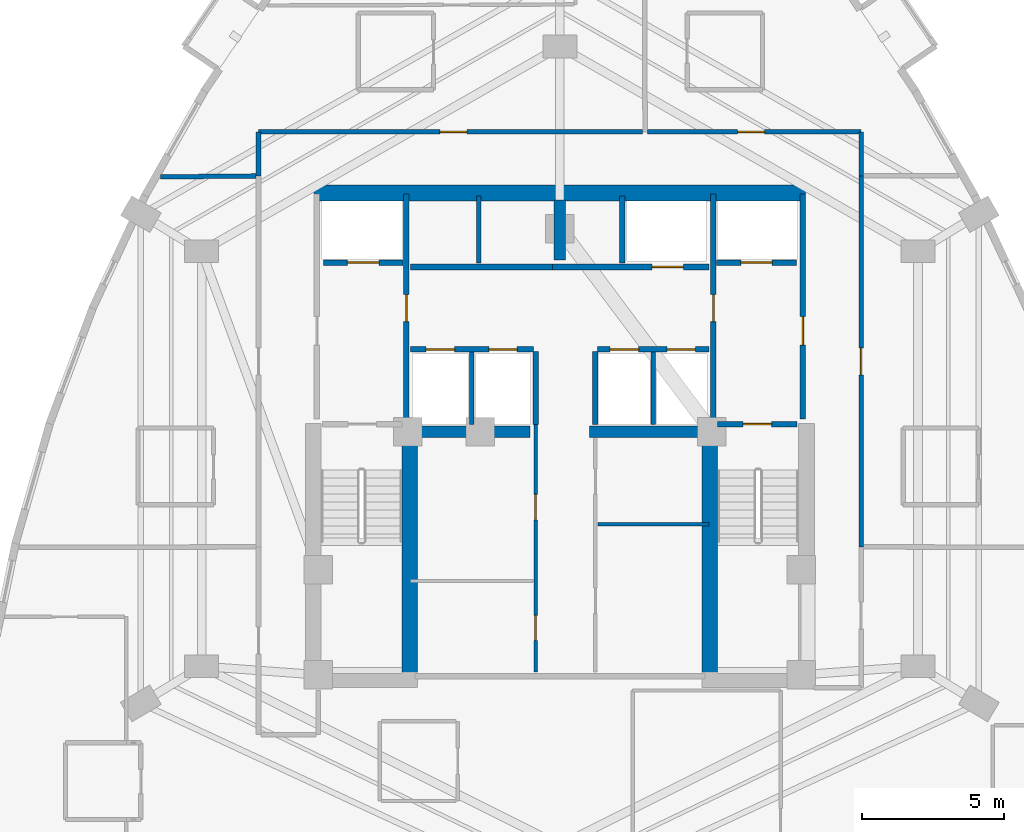
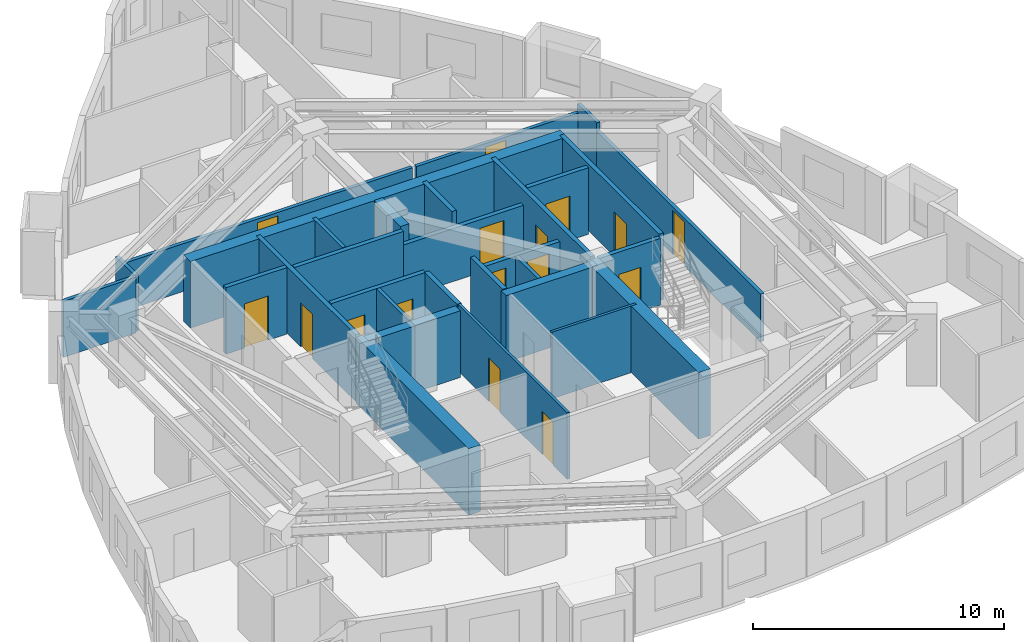
# One storey, part 7 of 11: 30 walls, 16 doors, 16 openings.
"""IFC4 building model written with IfcOpenShell, lengths in metres."""

import ifcopenshell
import ifcopenshell.guid

model = None  # the IFC model being written
_history = None  # IfcOwnerHistory: only IFC2X3 demands one
_inside = {}  # id of a spatial element -> (the spatial element, [elements in it])
_under = {}  # id of a project, library or spatial element -> (it, [spatial elements below it])
_declared = {}  # id of a project -> (the project, [libraries it declares])
_typed = {}  # id of a type object -> (the type object, [elements of that type])
_made_of = {}  # id of a material, layer set ... -> (it, [elements and type objects made of it])


def new_model(schema):
    """Start an empty IFC model of exactly this schema.

    Asked for "IFC4X3", IfcOpenShell would pick the latest addendum, in which some entities
    have other attributes; the version numbers below select the first issue.
    IFC2X3 requires an IfcOwnerHistory on every rooted entity: one is made here for all.
    """
    global model, _history
    if schema == "IFC4X3":
        model = ifcopenshell.file(schema_version=(4, 3, 0, 0))
    else:
        model = ifcopenshell.file(schema=schema)
    _inside.clear()
    _under.clear()
    _declared.clear()
    _typed.clear()
    _made_of.clear()
    _history = None
    if model.schema == "IFC2X3":
        org = make("IfcOrganization", Name="unknown")
        user = make(
            "IfcPersonAndOrganization",
            ThePerson=make("IfcPerson", FamilyName="unknown"),
            TheOrganization=org,
        )
        app = make(
            "IfcApplication",
            ApplicationDeveloper=org,
            Version="unknown",
            ApplicationFullName="unknown",
            ApplicationIdentifier="unknown",
        )
        _history = make(
            "IfcOwnerHistory",
            OwningUser=user,
            OwningApplication=app,
            ChangeAction="ADDED",
            CreationDate=0,
        )
    return model


def make(cls, **values):
    """One entity of the class cls with the attributes given. An attribute that is None is left unset."""
    return model.create_entity(
        cls, **{name: value for name, value in values.items() if value is not None}
    )


def rooted(cls, **values):
    """An entity with a GlobalId (a new one), such as an element, a storey or a relation."""
    return make(cls, GlobalId=ifcopenshell.guid.new(), OwnerHistory=_history, **values)


def si_unit(unit_type, name, prefix=None):
    """IfcSIUnit, for example si_unit("LENGTHUNIT", "METRE", prefix="MILLI")."""
    return make("IfcSIUnit", UnitType=unit_type, Prefix=prefix, Name=name)


def assignment(units):
    """IfcUnitAssignment: the units of a project."""
    return None if units is None else make("IfcUnitAssignment", Units=units)


def point(xyz):
    """IfcCartesianPoint."""
    return None if xyz is None else make("IfcCartesianPoint", Coordinates=xyz)


def direction(xyz):
    """IfcDirection."""
    return None if xyz is None else make("IfcDirection", DirectionRatios=xyz)


def frame(location, z_axis=None, x_axis=None):
    """IfcAxis2Placement3D, a coordinate frame: its origin and axes. An axis left out is left unset."""
    return make(
        "IfcAxis2Placement3D",
        Location=point(location),
        Axis=direction(z_axis),
        RefDirection=direction(x_axis),
    )


def frame_2d(location, x_axis=None):
    """IfcAxis2Placement2D, a coordinate frame in the plane: its origin and x axis."""
    return make(
        "IfcAxis2Placement2D", Location=point(location), RefDirection=direction(x_axis)
    )


def origin():
    """The frame at (0, 0, 0) with its axes left unset."""
    return frame((0.0, 0.0, 0.0))


def place(relative_to, where):
    """IfcLocalPlacement: puts the frame where relative to a parent placement (None: the world)."""
    return make(
        "IfcLocalPlacement", PlacementRelTo=relative_to, RelativePlacement=where
    )


def context(
    kind, dimensions, precision=None, world=None, true_north=None, identifier=None
):
    """IfcGeometricRepresentationContext, for example the 3D "Model" context."""
    return make(
        "IfcGeometricRepresentationContext",
        ContextIdentifier=identifier,
        ContextType=kind,
        CoordinateSpaceDimension=dimensions,
        Precision=precision,
        WorldCoordinateSystem=world,
        TrueNorth=true_north,
    )


def subcontext(parent, identifier, kind, view, scale=None):
    """IfcGeometricRepresentationSubContext, for example "Body" below "Model"."""
    return make(
        "IfcGeometricRepresentationSubContext",
        ContextIdentifier=identifier,
        ContextType=kind,
        ParentContext=parent,
        TargetScale=scale,
        TargetView=view,
    )


def project(units=None, contexts=None):
    """IfcProject with its units and contexts."""
    return rooted(
        "IfcProject",
        Name="project",
        RepresentationContexts=contexts,
        UnitsInContext=assignment(units),
    )


def spatial(cls, under=None, at=None, **own):
    """A site, building, storey or space (cls), placed at a placement, below another one or the project."""
    s = rooted(cls, ObjectPlacement=at, **own)
    if under is not None:
        _under.setdefault(under.id(), (under, []))[1].append(s)
    return s


def profile(cls, at=None, kind="AREA", **sizes):
    """A parametric profile (cls). Its sizes go by their IFC names, for example OverallWidth=200.0."""
    return make(cls, ProfileType=kind, Position=at, **sizes)


def rectangle(**sizes):
    """IfcRectangleProfileDef."""
    return profile("IfcRectangleProfileDef", **sizes)


def extrude(swept, where, along, depth):
    """IfcExtrudedAreaSolid: the profile swept, set in the frame where, extruded along a direction by depth."""
    return make(
        "IfcExtrudedAreaSolid",
        SweptArea=swept,
        Position=where,
        ExtrudedDirection=direction(along),
        Depth=depth,
    )


def shape(context_of_items, identifier, shape_type, items):
    """IfcShapeRepresentation: the items that make up one representation, for example the "Body"."""
    return make(
        "IfcShapeRepresentation",
        ContextOfItems=context_of_items,
        RepresentationIdentifier=identifier,
        RepresentationType=shape_type,
        Items=items,
    )


def material(Name=None, Category=None):
    """IfcMaterial."""
    return make("IfcMaterial", Name=Name, Category=Category)


def layer(
    of_material, thickness, ventilated=None, Name=None, Category=None, Priority=None
):
    """IfcMaterialLayer: one layer of a wall or slab, of a material (None: an air gap)."""
    return make(
        "IfcMaterialLayer",
        Material=of_material,
        LayerThickness=thickness,
        IsVentilated=ventilated,
        Name=Name,
        Category=Category,
        Priority=Priority,
    )


def layer_set(layers, Name=None):
    """IfcMaterialLayerSet."""
    return make("IfcMaterialLayerSet", MaterialLayers=layers, LayerSetName=Name)


def made_of(thing, what):
    """Note that an element or type object is made of a material, layer set ...; save() writes the relation."""
    if what is not None:
        _made_of.setdefault(what.id(), (what, []))[1].append(thing)
    return thing


def type_object(cls, material=None, **own):
    """A type object (cls), such as IfcWallType, which elements share."""
    return made_of(rooted(cls, **own), material)


def element(
    cls,
    number,
    at=None,
    inside=None,
    cuts=None,
    type_object=None,
    material=None,
    context=None,
    identifier="Body",
    shape_type=None,
    held_by="IfcProductDefinitionShape",
    body=None,
    shapes=None,
    **own,
):
    """One element of the class cls, such as IfcWall. Its Tag is "e" and its number.

    at: its placement. inside: the storey or other place that contains it. cuts: it is an
    opening in that element (IfcRelVoidsElement). A single representation is given by context,
    identifier, shape_type and body (its items); several are given by shapes. held_by: the class
    of the entity that holds the representations. save() writes the other relations.
    """
    e = rooted(cls, Tag="e%d" % number, ObjectPlacement=at, **own)
    if body is not None:
        shapes = [shape(context, identifier, shape_type, body)]
    if shapes is not None:
        e.Representation = make(held_by, Representations=shapes)
    if inside is not None:
        _inside.setdefault(inside.id(), (inside, []))[1].append(e)
    if cuts is not None:
        rooted(
            "IfcRelVoidsElement", RelatingBuildingElement=cuts, RelatedOpeningElement=e
        )
    if type_object is not None:
        _typed.setdefault(type_object.id(), (type_object, []))[1].append(e)
    return made_of(e, material)


def fill(opening, filler):
    """IfcRelFillsElement: the door or window that sits in an opening."""
    return rooted(
        "IfcRelFillsElement",
        RelatingOpeningElement=opening,
        RelatedBuildingElement=filler,
    )


def aggregate(whole, parts):
    """IfcRelAggregates: a whole, such as a stair, and the parts it consists of."""
    return rooted("IfcRelAggregates", RelatingObject=whole, RelatedObjects=parts)


def save(model, path):
    """Write the relations noted so far, then the file.

    IfcRelAggregates (storeys below a building ...), IfcRelContainedInSpatialStructure (elements
    in a storey), IfcRelDefinesByType, IfcRelAssociatesMaterial and IfcRelDeclares: one each for
    every whole, place, type object, material and project.
    """
    for whole, parts in _under.values():
        aggregate(whole, parts)
    for where, things in _inside.values():
        rooted(
            "IfcRelContainedInSpatialStructure",
            RelatedElements=things,
            RelatingStructure=where,
        )
    for kind, things in _typed.values():
        rooted("IfcRelDefinesByType", RelatedObjects=things, RelatingType=kind)
    for what, things in _made_of.values():
        rooted("IfcRelAssociatesMaterial", RelatedObjects=things, RelatingMaterial=what)
    for by, libraries in _declared.values():
        rooted("IfcRelDeclares", RelatingContext=by, RelatedDefinitions=libraries)
    model.write(path)


model = new_model("IFC4")

# Units and contexts
model_context = context("Model", 3, precision=1e-05, world=origin(), true_north=direction((0.0, 1.0)))
body_context = subcontext(model_context, "Body", "Model", "MODEL_VIEW")
ifc_project = project(units=[si_unit("LENGTHUNIT", "METRE"), si_unit("AREAUNIT", "SQUARE_METRE"), si_unit("VOLUMEUNIT", "CUBIC_METRE"), si_unit("PLANEANGLEUNIT", "RADIAN"), si_unit("MASSUNIT", "GRAM", prefix="KILO")], contexts=[model_context])

# Site, building, storey
site_placement = place(None, origin())
site = spatial("IfcSite", under=ifc_project, at=site_placement, CompositionType="ELEMENT")
building_placement = place(site_placement, origin())
building = spatial("IfcBuilding", under=site, at=building_placement, Name="Miruveldt Soraemaru", CompositionType="ELEMENT")
storey_placement = place(building_placement, frame((0.0, 0.0, 152.89990234375)))
storey = spatial("IfcBuildingStorey", under=building, at=storey_placement, Name="L42", CompositionType="ELEMENT", Elevation=152.89990234375)

# Walls
ifc_material_1 = material(Name="Concrete C70/85 (70 MPa)", Category="concrete")
ifc_layer_1 = layer(ifc_material_1, 0.5, Name="Concrete C70/85 (70 MPa)", Category="concrete")
ifc_layer_set_1 = layer_set([ifc_layer_1], Name="Concrete C70/85 (70 MPa)")
wall_type_1 = type_object("IfcWallType", Name="WALL-BW-500", PredefinedType="SHEAR", material=ifc_layer_set_1)
wall_1_placement = place(storey_placement, frame((44.0, 50.10009765625, 0.0), z_axis=(0.0, 0.0, 1.0), x_axis=(0.0, 1.0, 0.0)))
element("IfcWall", 1, at=wall_1_placement, inside=storey, type_object=wall_type_1, Name="L42 Core Buttress Shear Wall BN", PredefinedType="SHEAR", context=body_context, shape_type="SweptSolid", body=[
    extrude(rectangle(XDim=2.099853515625, YDim=0.39990234375, at=frame_2d((1.0498046875, 0.0))), origin(), (0.0, 0.0, 1.0), 3.235107421875),
])
for number, where, z_axis, x_axis, name in (
    (2, (38.75, 44.050048828125, 0.0), (0.0, 0.0, 1.0), (1.0, 0.0, 0.0), "L42 Core Buttress Shear Wall BW"),
    (3, (45.050048828125, 44.050048828125, 0.0), (0.0, 0.0, 1.0), (1.0, 0.0, 0.0), "L42 Core Buttress Shear Wall BE"),
):
    element("IfcWall", number, at=place(storey_placement, frame(where, z_axis=z_axis, x_axis=x_axis)), inside=storey, type_object=wall_type_1, Name=name, PredefinedType="SHEAR", context=body_context, shape_type="SweptSolid", body=[
        extrude(rectangle(XDim=4.199951171875, YDim=0.39990234375, at=frame_2d((2.10009765625, 0.0))), origin(), (0.0, 0.0, 1.0), 3.235107421875),
    ])
ifc_layer_2 = layer(ifc_material_1, 0.550048828125, Name="Concrete C70/85 (70 MPa)", Category="concrete")
ifc_layer_set_2 = layer_set([ifc_layer_2], Name="Concrete C70/85 (70 MPa)")
wall_type_2 = type_object("IfcWallType", Name="WALL-CW-550", PredefinedType="SHEAR", material=ifc_layer_set_2)
wall_2_placement = place(storey_placement, frame((35.35009765625, 52.449951171875, 0.0), z_axis=(0.0, 0.0, 1.0), x_axis=(1.0, 0.0, 0.0)))
element("IfcWall", 4, at=wall_2_placement, inside=storey, type_object=wall_type_2, Name="L42 Central Core Shear Wall N", PredefinedType="SHEAR", context=body_context, shape_type="SweptSolid", body=[
    extrude(rectangle(XDim=17.2998046875, YDim=0.550048828125, at=frame_2d((8.64990234375, 0.0))), origin(), (0.0, 0.0, 1.0), 3.235107421875),
])
for number, where, z_axis, x_axis, name in (
    (5, (38.72509765625, 35.39990234375, 0.0), (0.0, 0.0, 1.0), (0.0, 1.0, 0.0), "L42 Central Core Shear Wall SW-INT"),
    (6, (49.27490234375, 35.39990234375, 0.0), (0.0, 0.0, 1.0), (0.0, 1.0, 0.0), "L42 Central Core Shear Wall SE-INT"),
):
    element("IfcWall", number, at=place(storey_placement, frame(where, z_axis=z_axis, x_axis=x_axis)), inside=storey, type_object=wall_type_2, Name=name, PredefinedType="SHEAR", context=body_context, shape_type="SweptSolid", body=[
        extrude(rectangle(XDim=8.9501953125, YDim=0.550048828125, at=frame_2d((4.47509765625, 0.0))), origin(), (0.0, 0.0, 1.0), 3.235107421875),
    ])

# Wall, openings, doors
ifc_material_2 = material(Name="Gypsum plasterboard lining", Category="gypsum")
ifc_layer_3 = layer(ifc_material_2, 0.1201171875, Name="Gypsum plasterboard lining", Category="gypsum")
ifc_layer_set_3 = layer_set([ifc_layer_3], Name="Gypsum plasterboard lining")
wall_type_3 = type_object("IfcWallType", Name="WALL-INT-P120", PredefinedType="PARTITIONING", material=ifc_layer_set_3)
wall_3_placement = place(storey_placement, frame((43.14990234375, 35.60009765625, 0.0), z_axis=(0.0, 0.0, 1.0), x_axis=(0.0, 1.0, 0.0)))
wall_3 = element("IfcWall", 7, at=wall_3_placement, inside=storey, type_object=wall_type_3, Name="L42 Core Compartment Wall SP-WL", PredefinedType="PARTITIONING", context=body_context, shape_type="SweptSolid", body=[
    extrude(rectangle(XDim=8.699951171875, YDim=0.1201171875, at=frame_2d((4.35009765625, 0.0))), origin(), (0.0, 0.0, 1.0), 3.235107421875),
])
opening_1_placement = place(wall_3_placement, frame((1.110107421875, 0.0, 0.0)))
opening_1 = element("IfcOpeningElement", 8, at=opening_1_placement, cuts=wall_3, Name="Opening D4", PredefinedType="OPENING", context=body_context, shape_type="SweptSolid", body=[
    extrude(rectangle(XDim=0.8798828125, YDim=2.10009765625, at=frame_2d((0.43994140625, 1.050048828125))), frame((0.0, 0.070068359375, 0.0), z_axis=(0.0, -1.0, 0.0), x_axis=(1.0, 0.0, 0.0)), (0.0, 0.0, 1.0), 0.14013671875),
])
opening_2_placement = place(wall_3_placement, frame((5.35009765625, 0.0, 0.0)))
opening_2 = element("IfcOpeningElement", 9, at=opening_2_placement, cuts=wall_3, Name="Opening D3", PredefinedType="OPENING", context=body_context, shape_type="SweptSolid", body=[
    extrude(rectangle(XDim=0.89990234375, YDim=2.10009765625, at=frame_2d((0.449951171875, 1.050048828125))), frame((0.0, 0.070068359375, 0.0), z_axis=(0.0, -1.0, 0.0), x_axis=(1.0, 0.0, 0.0)), (0.0, 0.0, 1.0), 0.14013671875),
])
ifc_material_3 = material(Name="Anodised aluminium EN AW-6063 T6", Category="aluminium")
door_type_1 = type_object("IfcDoorType", Name="DOOR-INT-880", OperationType="NOTDEFINED", PredefinedType="DOOR", material=ifc_material_3)
door_1_placement = place(opening_1_placement, origin())
door_1 = element("IfcDoor", 10, at=door_1_placement, inside=storey, type_object=door_type_1, Name="L42 Fire Door", OperationType="SINGLE_SWING_LEFT", OverallHeight=2.10009765625, OverallWidth=0.8798828125, PredefinedType="DOOR", context=body_context, shape_type="SweptSolid", body=[
    extrude(rectangle(XDim=0.8798828125, YDim=2.10009765625, at=frame_2d((0.43994140625, 1.050048828125))), frame((0.0, 0.02490234375, 0.0), z_axis=(0.0, -1.0, 0.0), x_axis=(1.0, 0.0, 0.0)), (0.0, 0.0, 1.0), 0.050048828125),
])
fill(opening_1, door_1)
door_type_2 = type_object("IfcDoorType", Name="DOOR-INT-900", OperationType="NOTDEFINED", PredefinedType="DOOR", material=ifc_material_3)
door_2_placement = place(opening_2_placement, origin())
door_2 = element("IfcDoor", 11, at=door_2_placement, inside=storey, type_object=door_type_2, Name="L42 Fire Door", OperationType="SINGLE_SWING_LEFT", OverallHeight=2.10009765625, OverallWidth=0.89990234375, PredefinedType="DOOR", context=body_context, shape_type="SweptSolid", body=[
    extrude(rectangle(XDim=0.89990234375, YDim=2.10009765625, at=frame_2d((0.449951171875, 1.050048828125))), frame((0.0, 0.02490234375, 0.0), z_axis=(0.0, -1.0, 0.0), x_axis=(1.0, 0.0, 0.0)), (0.0, 0.0, 1.0), 0.050048828125),
])
fill(opening_2, door_2)

# Wall
wall_4_placement = place(storey_placement, frame((45.35009765625, 40.800048828125, 0.0), z_axis=(0.0, 0.0, 1.0), x_axis=(1.0, 0.0, 0.0)))
element("IfcWall", 12, at=wall_4_placement, inside=storey, type_object=wall_type_3, Name="L42 Core Compartment Wall RL-E2H", PredefinedType="PARTITIONING", context=body_context, shape_type="SweptSolid", body=[
    extrude(rectangle(XDim=3.89990234375, YDim=0.1201171875, at=frame_2d((1.949951171875, 0.0))), origin(), (0.0, 0.0, 1.0), 3.235107421875),
])

# Wall, opening, door
ifc_material_4 = material(Name="Concrete C40/50 (40 MPa)", Category="concrete")
ifc_layer_4 = layer(ifc_material_4, 0.159912109375, Name="Concrete C40/50 (40 MPa)", Category="concrete")
ifc_layer_set_4 = layer_set([ifc_layer_4], Name="Concrete C40/50 (40 MPa)")
wall_type_4 = type_object("IfcWallType", Name="WALL-INT-RC160", PredefinedType="SOLIDWALL", material=ifc_layer_set_4)
wall_5_placement = place(storey_placement, frame((46.9150390625, 54.60009765625, 0.0), z_axis=(0.0, 0.0, 1.0), x_axis=(-1.0, 0.0, 0.0)))
wall_5 = element("IfcWall", 13, at=wall_5_placement, inside=storey, type_object=wall_type_4, Name="L42 Partition Wall 1", PredefinedType="SOLIDWALL", context=body_context, shape_type="SweptSolid", body=[
    extrude(rectangle(XDim=13.51513671875, YDim=0.159912109375, at=frame_2d((6.757568359375, 0.0))), origin(), (0.0, 0.0, 1.0), 2.322998046875),
])
opening_3_placement = place(wall_5_placement, frame((6.181884765625, 0.0, 0.0)))
opening_3 = element("IfcOpeningElement", 14, at=opening_3_placement, cuts=wall_5, Name="Opening FD2", PredefinedType="OPENING", context=body_context, shape_type="SweptSolid", body=[
    extrude(rectangle(XDim=0.949951171875, YDim=2.14990234375, at=frame_2d((0.47509765625, 1.074951171875))), frame((0.0, 0.08984375, 0.0), z_axis=(0.0, -1.0, 0.0), x_axis=(1.0, 0.0, 0.0)), (0.0, 0.0, 1.0), 0.179931640625),
])
door_type_3 = type_object("IfcDoorType", Name="DOOR-FD2-950", OperationType="NOTDEFINED", PredefinedType="DOOR", material=ifc_material_3)
door_3_placement = place(opening_3_placement, origin())
door_3 = element("IfcDoor", 15, at=door_3_placement, inside=storey, type_object=door_type_3, Name="L42 Unit 4201 Entrance Fire Door", OperationType="SINGLE_SWING_RIGHT", OverallHeight=2.14990234375, OverallWidth=0.949951171875, PredefinedType="DOOR", context=body_context, shape_type="SweptSolid", body=[
    extrude(rectangle(XDim=0.949951171875, YDim=2.14990234375, at=frame_2d((0.47509765625, 1.074951171875))), frame((0.0, 0.02490234375, 0.0), z_axis=(0.0, -1.0, 0.0), x_axis=(1.0, 0.0, 0.0)), (0.0, 0.0, 1.0), 0.050048828125),
])
fill(opening_3, door_3)

wall_6_placement = place(storey_placement, frame((54.60009765625, 40.0, 0.0), z_axis=(0.0, 0.0, 1.0), x_axis=(0.0, 1.0, 0.0)))
wall_6 = element("IfcWall", 16, at=wall_6_placement, inside=storey, type_object=wall_type_4, Name="L42 Partition Wall 6", PredefinedType="SOLIDWALL", context=body_context, shape_type="SweptSolid", body=[
    extrude(rectangle(XDim=13.050048828125, YDim=0.159912109375, at=frame_2d((6.52490234375, 0.0))), origin(), (0.0, 0.0, 1.0), 2.322998046875),
])
opening_4_placement = place(wall_6_placement, frame((6.050048828125, 0.0, 0.0)))
opening_4 = element("IfcOpeningElement", 17, at=opening_4_placement, cuts=wall_6, Name="Opening FD2", PredefinedType="OPENING", context=body_context, shape_type="SweptSolid", body=[
    extrude(rectangle(XDim=0.949951171875, YDim=2.14990234375, at=frame_2d((0.47509765625, 1.074951171875))), frame((0.0, 0.08984375, 0.0), z_axis=(0.0, -1.0, 0.0), x_axis=(1.0, 0.0, 0.0)), (0.0, 0.0, 1.0), 0.179931640625),
])
door_4_placement = place(opening_4_placement, origin())
door_4 = element("IfcDoor", 18, at=door_4_placement, inside=storey, type_object=door_type_3, Name="L42 Unit CL04 Entrance Fire Door", OperationType="SINGLE_SWING_LEFT", OverallHeight=2.14990234375, OverallWidth=0.949951171875, PredefinedType="DOOR", context=body_context, shape_type="SweptSolid", body=[
    extrude(rectangle(XDim=0.949951171875, YDim=2.14990234375, at=frame_2d((0.47509765625, 1.074951171875))), frame((0.0, 0.02490234375, 0.0), z_axis=(0.0, -1.0, 0.0), x_axis=(1.0, 0.0, 0.0)), (0.0, 0.0, 1.0), 0.050048828125),
])
fill(opening_4, door_4)

wall_7_placement = place(storey_placement, frame((54.60009765625, 54.60009765625, 0.0), z_axis=(0.0, 0.0, 1.0), x_axis=(-1.0, 0.0, 0.0)))
wall_7 = element("IfcWall", 19, at=wall_7_placement, inside=storey, type_object=wall_type_4, Name="L42 Partition Wall 4", PredefinedType="SOLIDWALL", context=body_context, shape_type="SweptSolid", body=[
    extrude(rectangle(XDim=7.51708984375, YDim=0.159912109375, at=frame_2d((3.758544921875, 0.0))), origin(), (0.0, 0.0, 1.0), 2.322998046875),
])
opening_5_placement = place(wall_7_placement, frame((3.39404296875, 0.0, 0.0)))
opening_5 = element("IfcOpeningElement", 20, at=opening_5_placement, cuts=wall_7, Name="Opening FD2", PredefinedType="OPENING", context=body_context, shape_type="SweptSolid", body=[
    extrude(rectangle(XDim=0.949951171875, YDim=2.14990234375, at=frame_2d((0.47509765625, 1.074951171875))), frame((0.0, 0.08984375, 0.0), z_axis=(0.0, -1.0, 0.0), x_axis=(1.0, 0.0, 0.0)), (0.0, 0.0, 1.0), 0.179931640625),
])
door_5_placement = place(opening_5_placement, origin())
door_5 = element("IfcDoor", 21, at=door_5_placement, inside=storey, type_object=door_type_3, Name="L42 Unit CL02 Entrance Fire Door", OperationType="SINGLE_SWING_LEFT", OverallHeight=2.14990234375, OverallWidth=0.949951171875, PredefinedType="DOOR", context=body_context, shape_type="SweptSolid", body=[
    extrude(rectangle(XDim=0.949951171875, YDim=2.14990234375, at=frame_2d((0.47509765625, 1.074951171875))), frame((0.0, 0.02490234375, 0.0), z_axis=(0.0, -1.0, 0.0), x_axis=(1.0, 0.0, 0.0)), (0.0, 0.0, 1.0), 0.050048828125),
])
fill(opening_5, door_5)

# Walls
wall_8_placement = place(storey_placement, frame((29.955078125, 53.01708984375, 0.0), z_axis=(0.0, 0.0, 1.0), x_axis=(0.999954750349, 0.009513004524, 0.0)))
element("IfcWall", 22, at=wall_8_placement, inside=storey, type_object=wall_type_4, Name="L42 Partition Wall 25", PredefinedType="SOLIDWALL", context=body_context, shape_type="SweptSolid", body=[
    extrude(rectangle(XDim=3.362060546875, YDim=0.159912109375, at=frame_2d((1.68115234375, 0.0))), origin(), (0.0, 0.0, 1.0), 2.72314453125),
])
wall_9_placement = place(storey_placement, frame((40.89990234375, 44.300048828125, 0.0), z_axis=(0.0, 0.0, 1.0), x_axis=(0.0, 1.0, 0.0)))
element("IfcWall", 23, at=wall_9_placement, inside=storey, type_object=wall_type_4, Name="L42 Core Compartment Wall PLM-DW", PredefinedType="SOLIDWALL", context=body_context, shape_type="SweptSolid", body=[
    extrude(rectangle(XDim=2.550048828125, YDim=0.159912109375, at=frame_2d((1.27490234375, 0.0))), origin(), (0.0, 0.0, 1.0), 3.235107421875),
])
wall_10_placement = place(storey_placement, frame((47.280029296875, 44.300048828125, 0.0), z_axis=(0.0, 0.0, 1.0), x_axis=(0.0, 1.0, 0.0)))
element("IfcWall", 24, at=wall_10_placement, inside=storey, type_object=wall_type_4, Name="L42 Core Compartment Wall PLM-DE", PredefinedType="SOLIDWALL", context=body_context, shape_type="SweptSolid", body=[
    extrude(rectangle(XDim=2.550048828125, YDim=0.159912109375, at=frame_2d((1.27490234375, 0.0))), origin(), (0.0, 0.0, 1.0), 2.572998046875),
])
wall_11_placement = place(storey_placement, frame((41.14990234375, 49.97998046875, 0.0), z_axis=(0.0, 0.0, 1.0), x_axis=(0.0, 1.0, 0.0)))
element("IfcWall", 25, at=wall_11_placement, inside=storey, type_object=wall_type_4, Name="L42 Core Compartment Wall PLH-DIV1", PredefinedType="SOLIDWALL", context=body_context, shape_type="SweptSolid", body=[
    extrude(rectangle(XDim=2.3701171875, YDim=0.159912109375, at=frame_2d((1.18505859375, 0.0))), origin(), (0.0, 0.0, 1.0), 3.235107421875),
])
wall_12_placement = place(storey_placement, frame((54.60009765625, 53.052978515625, 0.0), z_axis=(0.0, 0.0, 1.0), x_axis=(0.0, 1.0, 0.0)))
element("IfcWall", 26, at=wall_12_placement, inside=storey, type_object=wall_type_4, Name="L42 Partition Wall 3", PredefinedType="SOLIDWALL", context=body_context, shape_type="SweptSolid", body=[
    extrude(rectangle(XDim=1.547119140625, YDim=0.159912109375, at=frame_2d((0.7734375, 0.0))), origin(), (0.0, 0.0, 1.0), 2.72314453125),
])
wall_13_placement = place(storey_placement, frame((33.39990234375, 54.60009765625, 0.0), z_axis=(0.0, 0.0, 1.0), x_axis=(0.0, -1.0, 0.0)))
element("IfcWall", 27, at=wall_13_placement, inside=storey, type_object=wall_type_4, Name="L42 Partition Wall 2", PredefinedType="SOLIDWALL", context=body_context, shape_type="SweptSolid", body=[
    extrude(rectangle(XDim=1.545166015625, YDim=0.159912109375, at=frame_2d((0.7724609375, 0.0))), origin(), (0.0, 0.0, 1.0), 2.72314453125),
])

# Wall, opening, door
ifc_layer_5 = layer(ifc_material_4, 0.199951171875, Name="Concrete C40/50 (40 MPa)", Category="concrete")
ifc_layer_set_5 = layer_set([ifc_layer_5], Name="Concrete C40/50 (40 MPa)")
wall_type_5 = type_object("IfcWallType", Name="WALL-INT-RC200", PredefinedType="SOLIDWALL", material=ifc_layer_set_5)
wall_14_placement = place(storey_placement, frame((52.550048828125, 44.5, 0.0), z_axis=(0.0, 0.0, 1.0), x_axis=(0.0, 1.0, 0.0)))
wall_14 = element("IfcWall", 28, at=wall_14_placement, inside=storey, type_object=wall_type_5, Name="L42 Core Compartment Wall FFE-OUT", PredefinedType="SOLIDWALL", context=body_context, shape_type="SweptSolid", body=[
    extrude(rectangle(XDim=7.919921875, YDim=0.199951171875, at=frame_2d((3.9599609375, 0.0))), origin(), (0.0, 0.0, 1.0), 3.235107421875),
])
opening_6_placement = place(wall_14_placement, frame((2.60009765625, 0.0, 0.0)))
opening_6 = element("IfcOpeningElement", 29, at=opening_6_placement, cuts=wall_14, Name="Opening FD1", PredefinedType="OPENING", context=body_context, shape_type="SweptSolid", body=[
    extrude(rectangle(XDim=1.0, YDim=2.14990234375, at=frame_2d((0.5, 1.074951171875))), frame((0.0, 0.10986328125, 0.0), z_axis=(0.0, -1.0, 0.0), x_axis=(1.0, 0.0, 0.0)), (0.0, 0.0, 1.0), 0.219970703125),
])
door_type_4 = type_object("IfcDoorType", Name="DOOR-FD1-1000", OperationType="NOTDEFINED", PredefinedType="DOOR", material=ifc_material_3)
door_6_placement = place(opening_6_placement, frame((1.0, 0.0, 0.0), z_axis=(0.0, 0.0, 1.0), x_axis=(-1.0, 0.0, 0.0)))
door_6 = element("IfcDoor", 30, at=door_6_placement, inside=storey, type_object=door_type_4, Name="L42 East Firefighting Lobby Exit Door", OperationType="SINGLE_SWING_RIGHT", OverallHeight=2.14990234375, OverallWidth=1.0, PredefinedType="DOOR", context=body_context, shape_type="SweptSolid", body=[
    extrude(rectangle(XDim=1.0, YDim=2.14990234375, at=frame_2d((0.5, 1.074951171875))), frame((0.0, 0.02490234375, 0.0), z_axis=(0.0, -1.0, 0.0), x_axis=(1.0, 0.0, 0.0)), (0.0, 0.0, 1.0), 0.050048828125),
])
fill(opening_6, door_6)

wall_15_placement = place(storey_placement, frame((38.60009765625, 44.5, 0.0), z_axis=(0.0, 0.0, 1.0), x_axis=(0.0, 1.0, 0.0)))
wall_15 = element("IfcWall", 31, at=wall_15_placement, inside=storey, type_object=wall_type_5, Name="L42 Core Compartment Wall FFW-IN", PredefinedType="SOLIDWALL", context=body_context, shape_type="SweptSolid", body=[
    extrude(rectangle(XDim=7.919921875, YDim=0.199951171875, at=frame_2d((3.9599609375, 0.0))), origin(), (0.0, 0.0, 1.0), 3.235107421875),
])
opening_7_placement = place(wall_15_placement, frame((3.425048828125, 0.0, 0.0)))
opening_7 = element("IfcOpeningElement", 32, at=opening_7_placement, cuts=wall_15, Name="Opening FD2", PredefinedType="OPENING", context=body_context, shape_type="SweptSolid", body=[
    extrude(rectangle(XDim=0.949951171875, YDim=2.14990234375, at=frame_2d((0.47509765625, 1.074951171875))), frame((0.0, 0.10986328125, 0.0), z_axis=(0.0, -1.0, 0.0), x_axis=(1.0, 0.0, 0.0)), (0.0, 0.0, 1.0), 0.219970703125),
])
door_7_placement = place(opening_7_placement, frame((0.949951171875, 0.0, 0.0), z_axis=(0.0, 0.0, 1.0), x_axis=(-1.0, 0.0, 0.0)))
door_7 = element("IfcDoor", 33, at=door_7_placement, inside=storey, type_object=door_type_3, Name="L42 Lift Lobby to West Fire Lobby Door", OperationType="SINGLE_SWING_RIGHT", OverallHeight=2.14990234375, OverallWidth=0.949951171875, PredefinedType="DOOR", context=body_context, shape_type="SweptSolid", body=[
    extrude(rectangle(XDim=0.949951171875, YDim=2.14990234375, at=frame_2d((0.47509765625, 1.074951171875))), frame((0.0, 0.02490234375, 0.0), z_axis=(0.0, -1.0, 0.0), x_axis=(1.0, 0.0, 0.0)), (0.0, 0.0, 1.0), 0.050048828125),
])
fill(opening_7, door_7)

wall_16_placement = place(storey_placement, frame((49.39990234375, 44.5, 0.0), z_axis=(0.0, 0.0, 1.0), x_axis=(0.0, 1.0, 0.0)))
wall_16 = element("IfcWall", 34, at=wall_16_placement, inside=storey, type_object=wall_type_5, Name="L42 Core Compartment Wall FFE-IN", PredefinedType="SOLIDWALL", context=body_context, shape_type="SweptSolid", body=[
    extrude(rectangle(XDim=7.919921875, YDim=0.199951171875, at=frame_2d((3.9599609375, 0.0))), origin(), (0.0, 0.0, 1.0), 3.235107421875),
])
opening_8_placement = place(wall_16_placement, frame((3.425048828125, 0.0, 0.0)))
opening_8 = element("IfcOpeningElement", 35, at=opening_8_placement, cuts=wall_16, Name="Opening FD2", PredefinedType="OPENING", context=body_context, shape_type="SweptSolid", body=[
    extrude(rectangle(XDim=0.949951171875, YDim=2.14990234375, at=frame_2d((0.47509765625, 1.074951171875))), frame((0.0, 0.10986328125, 0.0), z_axis=(0.0, -1.0, 0.0), x_axis=(1.0, 0.0, 0.0)), (0.0, 0.0, 1.0), 0.219970703125),
])
door_8_placement = place(opening_8_placement, origin())
door_8 = element("IfcDoor", 36, at=door_8_placement, inside=storey, type_object=door_type_3, Name="L42 Lift Lobby to East Fire Lobby Door", OperationType="SINGLE_SWING_LEFT", OverallHeight=2.14990234375, OverallWidth=0.949951171875, PredefinedType="DOOR", context=body_context, shape_type="SweptSolid", body=[
    extrude(rectangle(XDim=0.949951171875, YDim=2.14990234375, at=frame_2d((0.47509765625, 1.074951171875))), frame((0.0, 0.02490234375, 0.0), z_axis=(0.0, -1.0, 0.0), x_axis=(1.0, 0.0, 0.0)), (0.0, 0.0, 1.0), 0.050048828125),
])
fill(opening_8, door_8)

wall_17_placement = place(storey_placement, frame((43.75, 49.85009765625, 0.0), z_axis=(0.0, 0.0, 1.0), x_axis=(1.0, 0.0, 0.0)))
wall_17 = element("IfcWall", 37, at=wall_17_placement, inside=storey, type_object=wall_type_5, Name="L42 Core Compartment Wall ROWA-SE", PredefinedType="SOLIDWALL", context=body_context, shape_type="SweptSolid", body=[
    extrude(rectangle(XDim=5.5, YDim=0.199951171875, at=frame_2d((2.75, 0.0))), origin(), (0.0, 0.0, 1.0), 2.572998046875),
])
opening_9_placement = place(wall_17_placement, frame((3.5, 0.0, 0.0)))
opening_9 = element("IfcOpeningElement", 38, at=opening_9_placement, cuts=wall_17, Name="Opening LD2", PredefinedType="OPENING", context=body_context, shape_type="SweptSolid", body=[
    extrude(rectangle(XDim=1.10009765625, YDim=2.14990234375, at=frame_2d((0.550048828125, 1.074951171875))), frame((0.0, 0.10986328125, 0.0), z_axis=(0.0, -1.0, 0.0), x_axis=(1.0, 0.0, 0.0)), (0.0, 0.0, 1.0), 0.219970703125),
])
door_type_5 = type_object("IfcDoorType", Name="DOOR-LD2-1100", OperationType="SLIDING_TO_LEFT", PredefinedType="DOOR", material=ifc_material_3)
door_9_placement = place(opening_9_placement, origin())
door_9 = element("IfcDoor", 39, at=door_9_placement, inside=storey, type_object=door_type_5, Name="L42 SL-1 Landing Door", OperationType="SLIDING_TO_LEFT", OverallHeight=2.14990234375, OverallWidth=1.10009765625, PredefinedType="DOOR", context=body_context, shape_type="SweptSolid", body=[
    extrude(rectangle(XDim=1.10009765625, YDim=2.14990234375, at=frame_2d((0.550048828125, 1.074951171875))), frame((0.0, 0.02490234375, 0.0), z_axis=(0.0, -1.0, 0.0), x_axis=(1.0, 0.0, 0.0)), (0.0, 0.0, 1.0), 0.050048828125),
])
fill(opening_9, door_9)

# Wall, openings, doors
wall_18_placement = place(storey_placement, frame((38.75, 46.949951171875, 0.0), z_axis=(0.0, 0.0, 1.0), x_axis=(1.0, 0.0, 0.0)))
wall_18 = element("IfcWall", 40, at=wall_18_placement, inside=storey, type_object=wall_type_5, Name="L42 Core Compartment Wall MBW-N", PredefinedType="SOLIDWALL", context=body_context, shape_type="SweptSolid", body=[
    extrude(rectangle(XDim=4.330078125, YDim=0.199951171875, at=frame_2d((2.1650390625, 0.0))), origin(), (0.0, 0.0, 1.0), 3.235107421875),
])
opening_10_placement = place(wall_18_placement, frame((0.550048828125, 0.0, 0.0)))
opening_10 = element("IfcOpeningElement", 41, at=opening_10_placement, cuts=wall_18, Name="Opening LD1B", PredefinedType="OPENING", context=body_context, shape_type="SweptSolid", body=[
    extrude(rectangle(XDim=1.0, YDim=2.14990234375, at=frame_2d((0.5, 1.074951171875))), frame((0.0, 0.10986328125, 0.0), z_axis=(0.0, -1.0, 0.0), x_axis=(1.0, 0.0, 0.0)), (0.0, 0.0, 1.0), 0.219970703125),
])
opening_11_placement = place(wall_18_placement, frame((2.75, 0.0, 0.0)))
opening_11 = element("IfcOpeningElement", 42, at=opening_11_placement, cuts=wall_18, Name="Opening LD1B", PredefinedType="OPENING", context=body_context, shape_type="SweptSolid", body=[
    extrude(rectangle(XDim=1.0, YDim=2.14990234375, at=frame_2d((0.5, 1.074951171875))), frame((0.0, 0.10986328125, 0.0), z_axis=(0.0, -1.0, 0.0), x_axis=(1.0, 0.0, 0.0)), (0.0, 0.0, 1.0), 0.219970703125),
])
door_type_6 = type_object("IfcDoorType", Name="DOOR-LD1-1000", OperationType="SLIDING_TO_LEFT", PredefinedType="DOOR", material=ifc_material_3)
door_10_placement = place(opening_10_placement, origin())
door_10 = element("IfcDoor", 43, at=door_10_placement, inside=storey, type_object=door_type_6, Name="L42 PL-M1 Landing Door", OperationType="SLIDING_TO_LEFT", OverallHeight=2.14990234375, OverallWidth=1.0, PredefinedType="DOOR", context=body_context, shape_type="SweptSolid", body=[
    extrude(rectangle(XDim=1.0, YDim=2.14990234375, at=frame_2d((0.5, 1.074951171875))), frame((0.0, 0.02490234375, 0.0), z_axis=(0.0, -1.0, 0.0), x_axis=(1.0, 0.0, 0.0)), (0.0, 0.0, 1.0), 0.050048828125),
])
fill(opening_10, door_10)
door_11_placement = place(opening_11_placement, origin())
door_11 = element("IfcDoor", 44, at=door_11_placement, inside=storey, type_object=door_type_6, Name="L42 PL-M2 Landing Door", OperationType="SLIDING_TO_LEFT", OverallHeight=2.14990234375, OverallWidth=1.0, PredefinedType="DOOR", context=body_context, shape_type="SweptSolid", body=[
    extrude(rectangle(XDim=1.0, YDim=2.14990234375, at=frame_2d((0.5, 1.074951171875))), frame((0.0, 0.02490234375, 0.0), z_axis=(0.0, -1.0, 0.0), x_axis=(1.0, 0.0, 0.0)), (0.0, 0.0, 1.0), 0.050048828125),
])
fill(opening_11, door_11)

wall_19_placement = place(storey_placement, frame((45.320068359375, 46.949951171875, 0.0), z_axis=(0.0, 0.0, 1.0), x_axis=(1.0, 0.0, 0.0)))
wall_19 = element("IfcWall", 45, at=wall_19_placement, inside=storey, type_object=wall_type_5, Name="L42 Core Compartment Wall MBE-N", PredefinedType="SOLIDWALL", context=body_context, shape_type="SweptSolid", body=[
    extrude(rectangle(XDim=3.929931640625, YDim=0.199951171875, at=frame_2d((1.96484375, 0.0))), origin(), (0.0, 0.0, 1.0), 2.572998046875),
])
opening_12_placement = place(wall_19_placement, frame((0.449951171875, 0.0, 0.0)))
opening_12 = element("IfcOpeningElement", 46, at=opening_12_placement, cuts=wall_19, Name="Opening LD1B", PredefinedType="OPENING", context=body_context, shape_type="SweptSolid", body=[
    extrude(rectangle(XDim=1.0, YDim=2.14990234375, at=frame_2d((0.5, 1.074951171875))), frame((0.0, 0.10986328125, 0.0), z_axis=(0.0, -1.0, 0.0), x_axis=(1.0, 0.0, 0.0)), (0.0, 0.0, 1.0), 0.219970703125),
])
opening_13_placement = place(wall_19_placement, frame((2.449951171875, 0.0, 0.0)))
opening_13 = element("IfcOpeningElement", 47, at=opening_13_placement, cuts=wall_19, Name="Opening LD1B", PredefinedType="OPENING", context=body_context, shape_type="SweptSolid", body=[
    extrude(rectangle(XDim=1.0, YDim=2.14990234375, at=frame_2d((0.5, 1.074951171875))), frame((0.0, 0.10986328125, 0.0), z_axis=(0.0, -1.0, 0.0), x_axis=(1.0, 0.0, 0.0)), (0.0, 0.0, 1.0), 0.219970703125),
])
door_12_placement = place(opening_12_placement, origin())
door_12 = element("IfcDoor", 48, at=door_12_placement, inside=storey, type_object=door_type_6, Name="L42 PL-M3 Landing Door", OperationType="SLIDING_TO_LEFT", OverallHeight=2.14990234375, OverallWidth=1.0, PredefinedType="DOOR", context=body_context, shape_type="SweptSolid", body=[
    extrude(rectangle(XDim=1.0, YDim=2.14990234375, at=frame_2d((0.5, 1.074951171875))), frame((0.0, 0.02490234375, 0.0), z_axis=(0.0, -1.0, 0.0), x_axis=(1.0, 0.0, 0.0)), (0.0, 0.0, 1.0), 0.050048828125),
])
fill(opening_12, door_12)
door_13_placement = place(opening_13_placement, origin())
door_13 = element("IfcDoor", 49, at=door_13_placement, inside=storey, type_object=door_type_6, Name="L42 PL-M4 Landing Door", OperationType="SLIDING_TO_LEFT", OverallHeight=2.14990234375, OverallWidth=1.0, PredefinedType="DOOR", context=body_context, shape_type="SweptSolid", body=[
    extrude(rectangle(XDim=1.0, YDim=2.14990234375, at=frame_2d((0.5, 1.074951171875))), frame((0.0, 0.02490234375, 0.0), z_axis=(0.0, -1.0, 0.0), x_axis=(1.0, 0.0, 0.0)), (0.0, 0.0, 1.0), 0.050048828125),
])
fill(opening_13, door_13)

# Wall, opening, door
wall_20_placement = place(storey_placement, frame((49.550048828125, 44.320068359375, 0.0), z_axis=(0.0, 0.0, 1.0), x_axis=(1.0, 0.0, 0.0)))
wall_20 = element("IfcWall", 50, at=wall_20_placement, inside=storey, type_object=wall_type_5, Name="L42 Core Compartment Wall ST2-N", PredefinedType="SOLIDWALL", context=body_context, shape_type="SweptSolid", body=[
    extrude(rectangle(XDim=2.800048828125, YDim=0.199951171875, at=frame_2d((1.39990234375, 0.0))), origin(), (0.0, 0.0, 1.0), 3.235107421875),
])
opening_14_placement = place(wall_20_placement, frame((0.89990234375, 0.0, 0.0)))
opening_14 = element("IfcOpeningElement", 51, at=opening_14_placement, cuts=wall_20, Name="Opening FD1", PredefinedType="OPENING", context=body_context, shape_type="SweptSolid", body=[
    extrude(rectangle(XDim=1.0, YDim=2.14990234375, at=frame_2d((0.5, 1.074951171875))), frame((0.0, 0.10986328125, 0.0), z_axis=(0.0, -1.0, 0.0), x_axis=(1.0, 0.0, 0.0)), (0.0, 0.0, 1.0), 0.219970703125),
])
door_14_placement = place(opening_14_placement, frame((1.0, 0.0, 0.0), z_axis=(0.0, 0.0, 1.0), x_axis=(-1.0, 0.0, 0.0)))
door_14 = element("IfcDoor", 52, at=door_14_placement, inside=storey, type_object=door_type_4, Name="L42 Stair ST-2 Fire Door", OperationType="SINGLE_SWING_RIGHT", OverallHeight=2.14990234375, OverallWidth=1.0, PredefinedType="DOOR", context=body_context, shape_type="SweptSolid", body=[
    extrude(rectangle(XDim=1.0, YDim=2.14990234375, at=frame_2d((0.5, 1.074951171875))), frame((0.0, 0.02490234375, 0.0), z_axis=(0.0, -1.0, 0.0), x_axis=(1.0, 0.0, 0.0)), (0.0, 0.0, 1.0), 0.050048828125),
])
fill(opening_14, door_14)

wall_21_placement = place(storey_placement, frame((35.679931640625, 50.0, 0.0), z_axis=(0.0, 0.0, 1.0), x_axis=(1.0, 0.0, 0.0)))
wall_21 = element("IfcWall", 53, at=wall_21_placement, inside=storey, type_object=wall_type_5, Name="L42 Core Compartment Wall FFL1-S", PredefinedType="SOLIDWALL", context=body_context, shape_type="SweptSolid", body=[
    extrude(rectangle(XDim=2.800048828125, YDim=0.199951171875, at=frame_2d((1.39990234375, 0.0))), origin(), (0.0, 0.0, 1.0), 3.235107421875),
])
opening_15_placement = place(wall_21_placement, frame((0.85009765625, 0.0, 0.0)))
opening_15 = element("IfcOpeningElement", 54, at=opening_15_placement, cuts=wall_21, Name="Opening LD2", PredefinedType="OPENING", context=body_context, shape_type="SweptSolid", body=[
    extrude(rectangle(XDim=1.10009765625, YDim=2.14990234375, at=frame_2d((0.550048828125, 1.074951171875))), frame((0.0, 0.10986328125, 0.0), z_axis=(0.0, -1.0, 0.0), x_axis=(1.0, 0.0, 0.0)), (0.0, 0.0, 1.0), 0.219970703125),
])
door_15_placement = place(opening_15_placement, origin())
door_15 = element("IfcDoor", 55, at=door_15_placement, inside=storey, type_object=door_type_5, Name="L42 FFL-1 Landing Door", OperationType="SLIDING_TO_LEFT", OverallHeight=2.14990234375, OverallWidth=1.10009765625, PredefinedType="DOOR", context=body_context, shape_type="SweptSolid", body=[
    extrude(rectangle(XDim=1.10009765625, YDim=2.14990234375, at=frame_2d((0.550048828125, 1.074951171875))), frame((0.0, 0.02490234375, 0.0), z_axis=(0.0, -1.0, 0.0), x_axis=(1.0, 0.0, 0.0)), (0.0, 0.0, 1.0), 0.050048828125),
])
fill(opening_15, door_15)

wall_22_placement = place(storey_placement, frame((49.52001953125, 50.0, 0.0), z_axis=(0.0, 0.0, 1.0), x_axis=(1.0, 0.0, 0.0)))
wall_22 = element("IfcWall", 56, at=wall_22_placement, inside=storey, type_object=wall_type_5, Name="L42 Core Compartment Wall FFL2-S", PredefinedType="SOLIDWALL", context=body_context, shape_type="SweptSolid", body=[
    extrude(rectangle(XDim=2.800048828125, YDim=0.199951171875, at=frame_2d((1.39990234375, 0.0))), origin(), (0.0, 0.0, 1.0), 3.235107421875),
])
opening_16_placement = place(wall_22_placement, frame((0.85009765625, 0.0, 0.0)))
opening_16 = element("IfcOpeningElement", 57, at=opening_16_placement, cuts=wall_22, Name="Opening LD2", PredefinedType="OPENING", context=body_context, shape_type="SweptSolid", body=[
    extrude(rectangle(XDim=1.10009765625, YDim=2.14990234375, at=frame_2d((0.550048828125, 1.074951171875))), frame((0.0, 0.10986328125, 0.0), z_axis=(0.0, -1.0, 0.0), x_axis=(1.0, 0.0, 0.0)), (0.0, 0.0, 1.0), 0.219970703125),
])
door_16_placement = place(opening_16_placement, origin())
door_16 = element("IfcDoor", 58, at=door_16_placement, inside=storey, type_object=door_type_5, Name="L42 FFL-2 Landing Door", OperationType="SLIDING_TO_LEFT", OverallHeight=2.14990234375, OverallWidth=1.10009765625, PredefinedType="DOOR", context=body_context, shape_type="SweptSolid", body=[
    extrude(rectangle(XDim=1.10009765625, YDim=2.14990234375, at=frame_2d((0.550048828125, 1.074951171875))), frame((0.0, 0.02490234375, 0.0), z_axis=(0.0, -1.0, 0.0), x_axis=(1.0, 0.0, 0.0)), (0.0, 0.0, 1.0), 0.050048828125),
])
fill(opening_16, door_16)

# Walls
wall_23_placement = place(storey_placement, frame((38.75, 49.85009765625, 0.0), z_axis=(0.0, 0.0, 1.0), x_axis=(1.0, 0.0, 0.0)))
element("IfcWall", 59, at=wall_23_placement, inside=storey, type_object=wall_type_5, Name="L42 Core Compartment Wall ROWA-SW", PredefinedType="SOLIDWALL", context=body_context, shape_type="SweptSolid", body=[
    extrude(rectangle(XDim=5.0, YDim=0.199951171875, at=frame_2d((2.5, 0.0))), origin(), (0.0, 0.0, 1.0), 3.235107421875),
])
for number, where, z_axis, x_axis, name in (
    (60, (43.14990234375, 44.300048828125, 0.0), (0.0, 0.0, 1.0), (0.0, 1.0, 0.0), "L42 Core Compartment Wall SP-WB"),
    (61, (45.25, 44.300048828125, 0.0), (0.0, 0.0, 1.0), (0.0, 1.0, 0.0), "L42 Core Compartment Wall SP-EB"),
):
    element("IfcWall", number, at=place(storey_placement, frame(where, z_axis=z_axis, x_axis=x_axis)), inside=storey, type_object=wall_type_5, Name=name, PredefinedType="SOLIDWALL", context=body_context, shape_type="SweptSolid", body=[
        extrude(rectangle(XDim=2.579833984375, YDim=0.199951171875, at=frame_2d((1.2900390625, 0.0))), origin(), (0.0, 0.0, 1.0), 3.235107421875),
    ])
wall_24_placement = place(storey_placement, frame((46.199951171875, 49.97998046875, 0.0), z_axis=(0.0, 0.0, 1.0), x_axis=(0.0, 1.0, 0.0)))
element("IfcWall", 62, at=wall_24_placement, inside=storey, type_object=wall_type_5, Name="L42 Core Compartment Wall PLH-SL-DIV", PredefinedType="SOLIDWALL", context=body_context, shape_type="SweptSolid", body=[
    extrude(rectangle(XDim=2.3701171875, YDim=0.199951171875, at=frame_2d((1.18505859375, 0.0))), origin(), (0.0, 0.0, 1.0), 3.235107421875),
])

save(model, "model.ifc")
